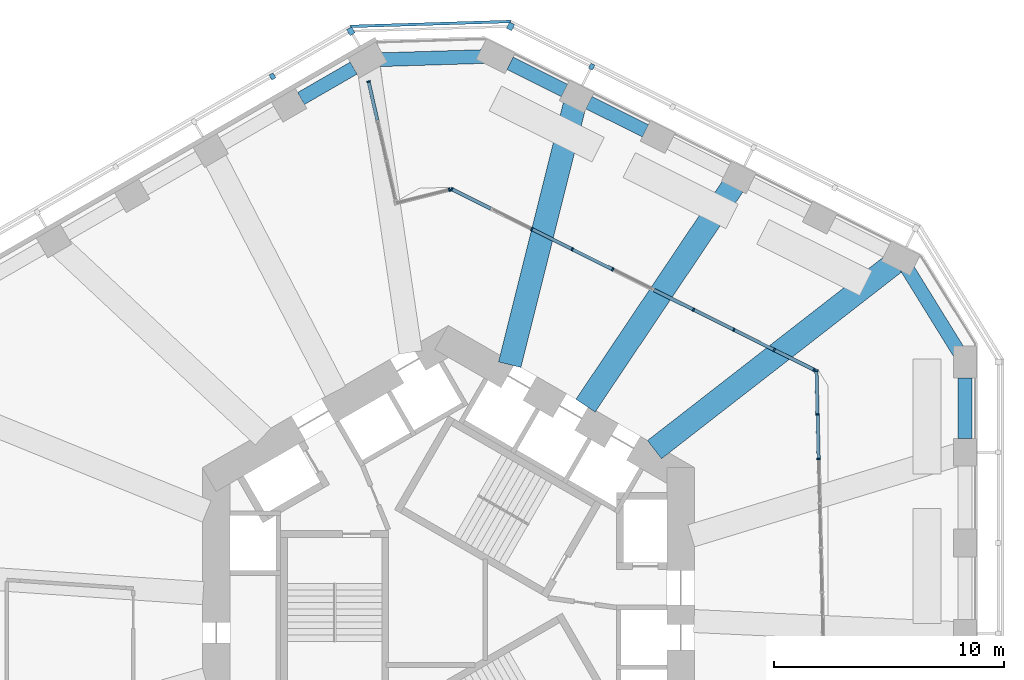
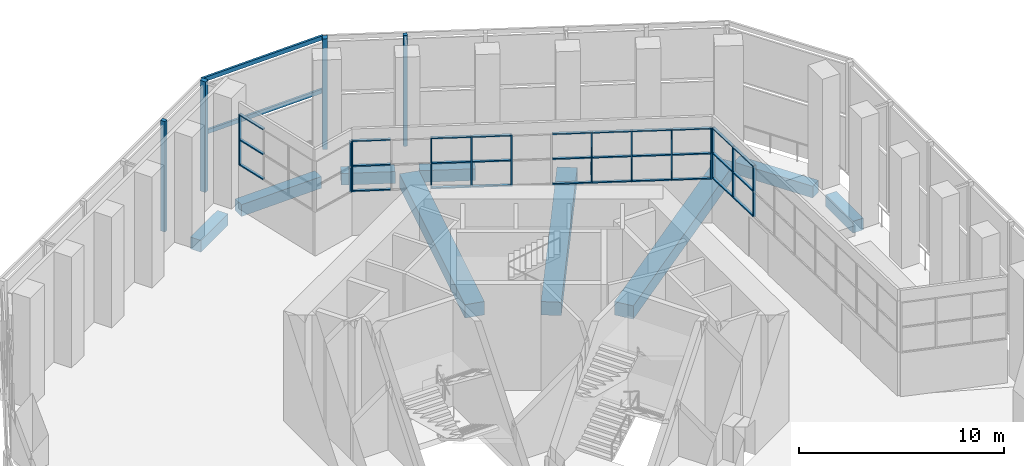
# One storey, part 4 of 17: 49 members, 9 beams, 7 elements without a shape of their own.
"""IFC4 building model written with IfcOpenShell, lengths in metres."""

import ifcopenshell
import ifcopenshell.guid

model = None  # the IFC model being written
_history = None  # IfcOwnerHistory: only IFC2X3 demands one
_inside = {}  # id of a spatial element -> (the spatial element, [elements in it])
_under = {}  # id of a project, library or spatial element -> (it, [spatial elements below it])
_declared = {}  # id of a project -> (the project, [libraries it declares])
_typed = {}  # id of a type object -> (the type object, [elements of that type])
_made_of = {}  # id of a material, layer set ... -> (it, [elements and type objects made of it])


def new_model(schema):
    """Start an empty IFC model of exactly this schema.

    Asked for "IFC4X3", IfcOpenShell would pick the latest addendum, in which some entities
    have other attributes; the version numbers below select the first issue.
    IFC2X3 requires an IfcOwnerHistory on every rooted entity: one is made here for all.
    """
    global model, _history
    if schema == "IFC4X3":
        model = ifcopenshell.file(schema_version=(4, 3, 0, 0))
    else:
        model = ifcopenshell.file(schema=schema)
    _inside.clear()
    _under.clear()
    _declared.clear()
    _typed.clear()
    _made_of.clear()
    _history = None
    if model.schema == "IFC2X3":
        org = make("IfcOrganization", Name="unknown")
        user = make(
            "IfcPersonAndOrganization",
            ThePerson=make("IfcPerson", FamilyName="unknown"),
            TheOrganization=org,
        )
        app = make(
            "IfcApplication",
            ApplicationDeveloper=org,
            Version="unknown",
            ApplicationFullName="unknown",
            ApplicationIdentifier="unknown",
        )
        _history = make(
            "IfcOwnerHistory",
            OwningUser=user,
            OwningApplication=app,
            ChangeAction="ADDED",
            CreationDate=0,
        )
    return model


def make(cls, **values):
    """One entity of the class cls with the attributes given. An attribute that is None is left unset."""
    return model.create_entity(
        cls, **{name: value for name, value in values.items() if value is not None}
    )


def rooted(cls, **values):
    """An entity with a GlobalId (a new one), such as an element, a storey or a relation."""
    return make(cls, GlobalId=ifcopenshell.guid.new(), OwnerHistory=_history, **values)


def si_unit(unit_type, name, prefix=None):
    """IfcSIUnit, for example si_unit("LENGTHUNIT", "METRE", prefix="MILLI")."""
    return make("IfcSIUnit", UnitType=unit_type, Prefix=prefix, Name=name)


def assignment(units):
    """IfcUnitAssignment: the units of a project."""
    return None if units is None else make("IfcUnitAssignment", Units=units)


def point(xyz):
    """IfcCartesianPoint."""
    return None if xyz is None else make("IfcCartesianPoint", Coordinates=xyz)


def direction(xyz):
    """IfcDirection."""
    return None if xyz is None else make("IfcDirection", DirectionRatios=xyz)


def frame(location, z_axis=None, x_axis=None):
    """IfcAxis2Placement3D, a coordinate frame: its origin and axes. An axis left out is left unset."""
    return make(
        "IfcAxis2Placement3D",
        Location=point(location),
        Axis=direction(z_axis),
        RefDirection=direction(x_axis),
    )


def frame_2d(location, x_axis=None):
    """IfcAxis2Placement2D, a coordinate frame in the plane: its origin and x axis."""
    return make(
        "IfcAxis2Placement2D", Location=point(location), RefDirection=direction(x_axis)
    )


def origin():
    """The frame at (0, 0, 0) with its axes left unset."""
    return frame((0.0, 0.0, 0.0))


def origin_2d():
    """The frame at (0, 0) in the plane with its x axis left unset."""
    return frame_2d((0.0, 0.0))


def place(relative_to, where):
    """IfcLocalPlacement: puts the frame where relative to a parent placement (None: the world)."""
    return make(
        "IfcLocalPlacement", PlacementRelTo=relative_to, RelativePlacement=where
    )


def context(
    kind, dimensions, precision=None, world=None, true_north=None, identifier=None
):
    """IfcGeometricRepresentationContext, for example the 3D "Model" context."""
    return make(
        "IfcGeometricRepresentationContext",
        ContextIdentifier=identifier,
        ContextType=kind,
        CoordinateSpaceDimension=dimensions,
        Precision=precision,
        WorldCoordinateSystem=world,
        TrueNorth=true_north,
    )


def subcontext(parent, identifier, kind, view, scale=None):
    """IfcGeometricRepresentationSubContext, for example "Body" below "Model"."""
    return make(
        "IfcGeometricRepresentationSubContext",
        ContextIdentifier=identifier,
        ContextType=kind,
        ParentContext=parent,
        TargetScale=scale,
        TargetView=view,
    )


def project(units=None, contexts=None):
    """IfcProject with its units and contexts."""
    return rooted(
        "IfcProject",
        Name="project",
        RepresentationContexts=contexts,
        UnitsInContext=assignment(units),
    )


def spatial(cls, under=None, at=None, **own):
    """A site, building, storey or space (cls), placed at a placement, below another one or the project."""
    s = rooted(cls, ObjectPlacement=at, **own)
    if under is not None:
        _under.setdefault(under.id(), (under, []))[1].append(s)
    return s


def profile(cls, at=None, kind="AREA", **sizes):
    """A parametric profile (cls). Its sizes go by their IFC names, for example OverallWidth=200.0."""
    return make(cls, ProfileType=kind, Position=at, **sizes)


def rectangle(**sizes):
    """IfcRectangleProfileDef."""
    return profile("IfcRectangleProfileDef", **sizes)


def extrude(swept, where, along, depth):
    """IfcExtrudedAreaSolid: the profile swept, set in the frame where, extruded along a direction by depth."""
    return make(
        "IfcExtrudedAreaSolid",
        SweptArea=swept,
        Position=where,
        ExtrudedDirection=direction(along),
        Depth=depth,
    )


def shape(context_of_items, identifier, shape_type, items):
    """IfcShapeRepresentation: the items that make up one representation, for example the "Body"."""
    return make(
        "IfcShapeRepresentation",
        ContextOfItems=context_of_items,
        RepresentationIdentifier=identifier,
        RepresentationType=shape_type,
        Items=items,
    )


def material(Name=None, Category=None):
    """IfcMaterial."""
    return make("IfcMaterial", Name=Name, Category=Category)


def material_profile(
    of_material, cross_section, Name=None, Category=None, Priority=None
):
    """IfcMaterialProfile: a cross section and its material."""
    return make(
        "IfcMaterialProfile",
        Name=Name,
        Material=of_material,
        Profile=cross_section,
        Priority=Priority,
        Category=Category,
    )


def profile_set(profiles, Name=None, composite=None):
    """IfcMaterialProfileSet."""
    return make(
        "IfcMaterialProfileSet",
        Name=Name,
        MaterialProfiles=profiles,
        CompositeProfile=composite,
    )


def made_of(thing, what):
    """Note that an element or type object is made of a material, layer set ...; save() writes the relation."""
    if what is not None:
        _made_of.setdefault(what.id(), (what, []))[1].append(thing)
    return thing


def type_object(cls, material=None, **own):
    """A type object (cls), such as IfcWallType, which elements share."""
    return made_of(rooted(cls, **own), material)


def element(
    cls,
    number,
    at=None,
    inside=None,
    cuts=None,
    type_object=None,
    material=None,
    context=None,
    identifier="Body",
    shape_type=None,
    held_by="IfcProductDefinitionShape",
    body=None,
    shapes=None,
    **own,
):
    """One element of the class cls, such as IfcWall. Its Tag is "e" and its number.

    at: its placement. inside: the storey or other place that contains it. cuts: it is an
    opening in that element (IfcRelVoidsElement). A single representation is given by context,
    identifier, shape_type and body (its items); several are given by shapes. held_by: the class
    of the entity that holds the representations. save() writes the other relations.
    """
    e = rooted(cls, Tag="e%d" % number, ObjectPlacement=at, **own)
    if body is not None:
        shapes = [shape(context, identifier, shape_type, body)]
    if shapes is not None:
        e.Representation = make(held_by, Representations=shapes)
    if inside is not None:
        _inside.setdefault(inside.id(), (inside, []))[1].append(e)
    if cuts is not None:
        rooted(
            "IfcRelVoidsElement", RelatingBuildingElement=cuts, RelatedOpeningElement=e
        )
    if type_object is not None:
        _typed.setdefault(type_object.id(), (type_object, []))[1].append(e)
    return made_of(e, material)


def aggregate(whole, parts):
    """IfcRelAggregates: a whole, such as a stair, and the parts it consists of."""
    return rooted("IfcRelAggregates", RelatingObject=whole, RelatedObjects=parts)


def save(model, path):
    """Write the relations noted so far, then the file.

    IfcRelAggregates (storeys below a building ...), IfcRelContainedInSpatialStructure (elements
    in a storey), IfcRelDefinesByType, IfcRelAssociatesMaterial and IfcRelDeclares: one each for
    every whole, place, type object, material and project.
    """
    for whole, parts in _under.values():
        aggregate(whole, parts)
    for where, things in _inside.values():
        rooted(
            "IfcRelContainedInSpatialStructure",
            RelatedElements=things,
            RelatingStructure=where,
        )
    for kind, things in _typed.values():
        rooted("IfcRelDefinesByType", RelatedObjects=things, RelatingType=kind)
    for what, things in _made_of.values():
        rooted("IfcRelAssociatesMaterial", RelatedObjects=things, RelatingMaterial=what)
    for by, libraries in _declared.values():
        rooted("IfcRelDeclares", RelatingContext=by, RelatedDefinitions=libraries)
    model.write(path)


model = new_model("IFC4")

# Units and contexts
model_context = context("Model", 3, precision=1e-05, world=origin(), true_north=direction((0.0, 1.0)))
body_context = subcontext(model_context, "Body", "Model", "MODEL_VIEW")
ifc_project = project(units=[si_unit("LENGTHUNIT", "METRE"), si_unit("AREAUNIT", "SQUARE_METRE"), si_unit("VOLUMEUNIT", "CUBIC_METRE"), si_unit("PLANEANGLEUNIT", "RADIAN"), si_unit("MASSUNIT", "GRAM", prefix="KILO")], contexts=[model_context])

# Site, building, storey
site_placement = place(None, origin())
site = spatial("IfcSite", under=ifc_project, at=site_placement, CompositionType="ELEMENT")
building_placement = place(site_placement, origin())
building = spatial("IfcBuilding", under=site, at=building_placement, Name="Vanh Sen Convention Tower", CompositionType="ELEMENT")
storey_placement = place(building_placement, frame((0.0, 0.0, 77.0)))
storey = spatial("IfcBuildingStorey", under=building, at=storey_placement, Name="L17", CompositionType="ELEMENT", Elevation=77.0)

# Curtain wall, member
ifc_material_1 = material(Name="Aluminium structural glazing system", Category="aluminium")
curtain_wall_type_1 = type_object("IfcCurtainWallType", Name="Sky garden structural glazing", PredefinedType="NOTDEFINED", material=ifc_material_1)
curtain_wall_1_placement = place(storey_placement, origin())
curtain_wall_1 = element("IfcCurtainWall", 1, at=curtain_wall_1_placement, inside=storey, type_object=curtain_wall_type_1, Name="Winter garden glazing 1 L17", PredefinedType="NOTDEFINED")
ifc_material_2 = material(Name="Aluminium mullion", Category="aluminium")
ifc_material_profile_1 = material_profile(ifc_material_2, rectangle(XDim=0.14990234375, YDim=0.070068359375, at=origin_2d()), Name="Garden glazing mullion 70 x 150")
ifc_profile_set_1 = profile_set([ifc_material_profile_1], Name="Aluminium mullion")
member_type_1 = type_object("IfcMemberType", Name="Garden glazing mullion 70 x 150", PredefinedType="MULLION", material=ifc_profile_set_1)
member_1_placement = place(storey_placement, frame((-3.472900390625, 22.95556640625, 2.60009765625), z_axis=(0.0, 0.0, 1.0), x_axis=(0.975399237411, 0.220445747654, 0.0)))
member_1 = element("IfcMember", 2, at=member_1_placement, type_object=member_type_1, Name="CW5 mullion 1", PredefinedType="MULLION", context=body_context, shape_type="SweptSolid", body=[
    extrude(rectangle(XDim=0.14990234375, YDim=0.070068359375, at=origin_2d()), origin(), (0.0, 0.0, 1.0), 3.0498046875),
])

curtain_wall_2_placement = place(storey_placement, origin())
curtain_wall_2 = element("IfcCurtainWall", 3, at=curtain_wall_2_placement, inside=storey, type_object=curtain_wall_type_1, Name="Winter garden glazing 2 L17", PredefinedType="NOTDEFINED")
member_2_placement = place(storey_placement, frame((0.038330078125, 18.260009765625, 2.60009765625), z_axis=(0.0, 0.0, 1.0), x_axis=(-0.243834843024, 0.969816771007, 0.0)))
member_2 = element("IfcMember", 4, at=member_2_placement, type_object=member_type_1, Name="CW5 mullion 2", PredefinedType="MULLION", context=body_context, shape_type="SweptSolid", body=[
    extrude(rectangle(XDim=0.14990234375, YDim=0.070068359375, at=origin_2d()), origin(), (0.0, 0.0, 1.0), 3.0498046875),
])
aggregate(curtain_wall_2, [member_2])

# Curtain wall, members
curtain_wall_3_placement = place(storey_placement, origin())
curtain_wall_3 = element("IfcCurtainWall", 5, at=curtain_wall_3_placement, inside=storey, type_object=curtain_wall_type_1, Name="Winter garden glazing 3 L17", PredefinedType="NOTDEFINED")
member_3_placement = place(storey_placement, frame((0.143798828125, 18.28173828125, 2.60009765625), z_axis=(0.0, 0.0, 1.0), x_axis=(0.446203047714, 0.894931751706, 0.0)))
member_3 = element("IfcMember", 6, at=member_3_placement, type_object=member_type_1, Name="CW5 mullion 1", PredefinedType="MULLION", context=body_context, shape_type="SweptSolid", body=[
    extrude(rectangle(XDim=0.14990234375, YDim=0.070068359375, at=origin_2d()), origin(), (0.0, 0.0, 1.0), 3.0498046875),
])
member_4_placement = place(storey_placement, frame((3.624267578125, 16.54638671875, 2.60009765625), z_axis=(0.0, 0.0, 1.0), x_axis=(0.446203047714, 0.894931751706, 0.0)))
member_4 = element("IfcMember", 7, at=member_4_placement, type_object=member_type_1, Name="CW5 mullion 3", PredefinedType="MULLION", context=body_context, shape_type="SweptSolid", body=[
    extrude(rectangle(XDim=0.14990234375, YDim=0.070068359375, at=origin_2d()), origin(), (0.0, 0.0, 1.0), 3.0498046875),
])
member_5_placement = place(storey_placement, frame((5.38037109375, 15.6708984375, 2.60009765625), z_axis=(0.0, 0.0, 1.0), x_axis=(0.446203047714, 0.894931751706, 0.0)))
member_5 = element("IfcMember", 8, at=member_5_placement, type_object=member_type_1, Name="CW5 mullion 4", PredefinedType="MULLION", context=body_context, shape_type="SweptSolid", body=[
    extrude(rectangle(XDim=0.14990234375, YDim=0.070068359375, at=origin_2d()), origin(), (0.0, 0.0, 1.0), 3.0498046875),
])
member_6_placement = place(storey_placement, frame((7.13623046875, 14.79541015625, 2.60009765625), z_axis=(0.0, 0.0, 1.0), x_axis=(0.446203047714, 0.894931751706, 0.0)))
member_6 = element("IfcMember", 9, at=member_6_placement, type_object=member_type_1, Name="CW5 mullion 5", PredefinedType="MULLION", context=body_context, shape_type="SweptSolid", body=[
    extrude(rectangle(XDim=0.14990234375, YDim=0.070068359375, at=origin_2d()), origin(), (0.0, 0.0, 1.0), 3.0498046875),
])
member_7_placement = place(storey_placement, frame((10.648193359375, 13.04443359375, 2.60009765625), z_axis=(0.0, 0.0, 1.0), x_axis=(0.446203047714, 0.894931751706, 0.0)))
member_7 = element("IfcMember", 10, at=member_7_placement, type_object=member_type_1, Name="CW5 mullion 7", PredefinedType="MULLION", context=body_context, shape_type="SweptSolid", body=[
    extrude(rectangle(XDim=0.14990234375, YDim=0.070068359375, at=origin_2d()), origin(), (0.0, 0.0, 1.0), 3.0498046875),
])
member_8_placement = place(storey_placement, frame((12.404052734375, 12.1689453125, 2.60009765625), z_axis=(0.0, 0.0, 1.0), x_axis=(0.446203047714, 0.894931751706, 0.0)))
member_8 = element("IfcMember", 11, at=member_8_placement, type_object=member_type_1, Name="CW5 mullion 8", PredefinedType="MULLION", context=body_context, shape_type="SweptSolid", body=[
    extrude(rectangle(XDim=0.14990234375, YDim=0.070068359375, at=origin_2d()), origin(), (0.0, 0.0, 1.0), 3.0498046875),
])
member_9_placement = place(storey_placement, frame((14.159912109375, 11.29345703125, 2.60009765625), z_axis=(0.0, 0.0, 1.0), x_axis=(0.446203047714, 0.894931751706, 0.0)))
member_9 = element("IfcMember", 12, at=member_9_placement, type_object=member_type_1, Name="CW5 mullion 9", PredefinedType="MULLION", context=body_context, shape_type="SweptSolid", body=[
    extrude(rectangle(XDim=0.14990234375, YDim=0.070068359375, at=origin_2d()), origin(), (0.0, 0.0, 1.0), 3.0498046875),
])
member_10_placement = place(storey_placement, frame((15.884521484375, 10.43359375, 2.60009765625), z_axis=(0.0, 0.0, 1.0), x_axis=(0.446203047714, 0.894931751706, 0.0)))
member_10 = element("IfcMember", 13, at=member_10_placement, type_object=member_type_1, Name="CW5 mullion 10", PredefinedType="MULLION", context=body_context, shape_type="SweptSolid", body=[
    extrude(rectangle(XDim=0.14990234375, YDim=0.070068359375, at=origin_2d()), origin(), (0.0, 0.0, 1.0), 3.0498046875),
])

curtain_wall_4_placement = place(storey_placement, origin())
curtain_wall_4 = element("IfcCurtainWall", 14, at=curtain_wall_4_placement, inside=storey, type_object=curtain_wall_type_1, Name="Winter garden glazing 4 L17", PredefinedType="NOTDEFINED")
member_11_placement = place(storey_placement, frame((15.991455078125, 10.39013671875, 2.60009765625), z_axis=(0.0, 0.0, 1.0), x_axis=(0.999688152482, 0.024971939984, 0.0)))
member_11 = element("IfcMember", 15, at=member_11_placement, type_object=member_type_1, Name="CW5 mullion 1", PredefinedType="MULLION", context=body_context, shape_type="SweptSolid", body=[
    extrude(rectangle(XDim=0.14990234375, YDim=0.070068359375, at=origin_2d()), origin(), (0.0, 0.0, 1.0), 3.0498046875),
])
member_12_placement = place(storey_placement, frame((16.0390625, 8.492919921875, 2.60009765625), z_axis=(0.0, 0.0, 1.0), x_axis=(0.999688152482, 0.024971939984, 0.0)))
member_12 = element("IfcMember", 16, at=member_12_placement, type_object=member_type_1, Name="CW5 mullion 2", PredefinedType="MULLION", context=body_context, shape_type="SweptSolid", body=[
    extrude(rectangle(XDim=0.14990234375, YDim=0.070068359375, at=origin_2d()), origin(), (0.0, 0.0, 1.0), 3.0498046875),
])
member_13_placement = place(storey_placement, frame((16.087158203125, 6.560546875, 2.60009765625), z_axis=(0.0, 0.0, 1.0), x_axis=(0.999688152482, 0.024971939984, 0.0)))
member_13 = element("IfcMember", 17, at=member_13_placement, type_object=member_type_1, Name="CW5 mullion 3", PredefinedType="MULLION", context=body_context, shape_type="SweptSolid", body=[
    extrude(rectangle(XDim=0.14990234375, YDim=0.070068359375, at=origin_2d()), origin(), (0.0, 0.0, 1.0), 3.0498046875),
])

# Member
ifc_material_3 = material(Name="Aluminium transom", Category="aluminium")
ifc_material_profile_2 = material_profile(ifc_material_3, rectangle(XDim=0.14990234375, YDim=0.070068359375, at=origin_2d()), Name="Garden glazing transom 150 x 70")
ifc_profile_set_2 = profile_set([ifc_material_profile_2], Name="Aluminium transom")
member_type_2 = type_object("IfcMemberType", Name="Garden glazing transom 150 x 70", PredefinedType="USERDEFINED", material=ifc_profile_set_2)
member_14_placement = place(storey_placement, frame((-3.465087890625, 22.92138671875, 2.635009765625), z_axis=(0.220416750341, -0.975405790514, 0.0), x_axis=(0.975405790514, 0.220416750341, 0.0)))
member_14 = element("IfcMember", 18, at=member_14_placement, type_object=member_type_2, Name="CW5 transom 1.1", ObjectType="TRANSOM", PredefinedType="USERDEFINED", context=body_context, shape_type="SweptSolid", body=[
    extrude(rectangle(XDim=0.14990234375, YDim=0.070068359375, at=origin_2d()), origin(), (0.0, 0.0, 1.0), 1.682373046875),
])

member_15_placement = place(storey_placement, frame((-3.465087890625, 22.92138671875, 4.125), z_axis=(0.220416750341, -0.975405790514, 0.0), x_axis=(0.975405790514, 0.220416750341, 0.0)))
member_15 = element("IfcMember", 19, at=member_15_placement, type_object=member_type_2, Name="CW5 transom 1.2", ObjectType="TRANSOM", PredefinedType="USERDEFINED", context=body_context, shape_type="SweptSolid", body=[
    extrude(rectangle(XDim=0.14990234375, YDim=0.070068359375, at=origin_2d()), origin(), (0.0, 0.0, 1.0), 1.682373046875),
])

member_16_placement = place(storey_placement, frame((-3.465087890625, 22.92138671875, 5.614990234375), z_axis=(0.220416750341, -0.975405790514, 0.0), x_axis=(0.975405790514, 0.220416750341, 0.0)))
member_16 = element("IfcMember", 20, at=member_16_placement, type_object=member_type_2, Name="CW5 transom 1.3", ObjectType="TRANSOM", PredefinedType="USERDEFINED", context=body_context, shape_type="SweptSolid", body=[
    extrude(rectangle(XDim=0.14990234375, YDim=0.070068359375, at=origin_2d()), origin(), (0.0, 0.0, 1.0), 1.682373046875),
])

aggregate(curtain_wall_1, [member_1, member_14, member_15, member_16])

member_17_placement = place(storey_placement, frame((0.175048828125, 18.26611328125, 2.635009765625), z_axis=(0.894952396717, -0.446161638434, 0.0), x_axis=(0.446161638434, 0.894952396717, 0.0)))
member_17 = element("IfcMember", 21, at=member_17_placement, type_object=member_type_2, Name="CW5 transom 1.1", ObjectType="TRANSOM", PredefinedType="USERDEFINED", context=body_context, shape_type="SweptSolid", body=[
    extrude(rectangle(XDim=0.14990234375, YDim=0.070068359375, at=origin_2d()), origin(), (0.0, 0.0, 1.0), 1.857177734375),
])

member_18_placement = place(storey_placement, frame((0.175048828125, 18.26611328125, 4.125), z_axis=(0.894952396717, -0.446161638434, 0.0), x_axis=(0.446161638434, 0.894952396717, 0.0)))
member_18 = element("IfcMember", 22, at=member_18_placement, type_object=member_type_2, Name="CW5 transom 1.2", ObjectType="TRANSOM", PredefinedType="USERDEFINED", context=body_context, shape_type="SweptSolid", body=[
    extrude(rectangle(XDim=0.14990234375, YDim=0.070068359375, at=origin_2d()), origin(), (0.0, 0.0, 1.0), 1.857177734375),
])

member_19_placement = place(storey_placement, frame((0.175048828125, 18.26611328125, 5.614990234375), z_axis=(0.894952396717, -0.446161638434, 0.0), x_axis=(0.446161638434, 0.894952396717, 0.0)))
member_19 = element("IfcMember", 23, at=member_19_placement, type_object=member_type_2, Name="CW5 transom 1.3", ObjectType="TRANSOM", PredefinedType="USERDEFINED", context=body_context, shape_type="SweptSolid", body=[
    extrude(rectangle(XDim=0.14990234375, YDim=0.070068359375, at=origin_2d()), origin(), (0.0, 0.0, 1.0), 1.857177734375),
])

member_20_placement = place(storey_placement, frame((3.65576171875, 16.53076171875, 2.635009765625), z_axis=(0.894917018808, -0.44623259568, 0.0), x_axis=(0.44623259568, 0.894917018808, 0.0)))
member_20 = element("IfcMember", 24, at=member_20_placement, type_object=member_type_2, Name="CW5 transom 3.1", ObjectType="TRANSOM", PredefinedType="USERDEFINED", context=body_context, shape_type="SweptSolid", body=[
    extrude(rectangle(XDim=0.14990234375, YDim=0.070068359375, at=origin_2d()), origin(), (0.0, 0.0, 1.0), 1.891845703125),
])

member_21_placement = place(storey_placement, frame((3.65576171875, 16.53076171875, 4.125), z_axis=(0.894917018808, -0.44623259568, 0.0), x_axis=(0.44623259568, 0.894917018808, 0.0)))
member_21 = element("IfcMember", 25, at=member_21_placement, type_object=member_type_2, Name="CW5 transom 3.2", ObjectType="TRANSOM", PredefinedType="USERDEFINED", context=body_context, shape_type="SweptSolid", body=[
    extrude(rectangle(XDim=0.14990234375, YDim=0.070068359375, at=origin_2d()), origin(), (0.0, 0.0, 1.0), 1.891845703125),
])

member_22_placement = place(storey_placement, frame((3.65576171875, 16.53076171875, 5.614990234375), z_axis=(0.894917018808, -0.44623259568, 0.0), x_axis=(0.44623259568, 0.894917018808, 0.0)))
member_22 = element("IfcMember", 26, at=member_22_placement, type_object=member_type_2, Name="CW5 transom 3.3", ObjectType="TRANSOM", PredefinedType="USERDEFINED", context=body_context, shape_type="SweptSolid", body=[
    extrude(rectangle(XDim=0.14990234375, YDim=0.070068359375, at=origin_2d()), origin(), (0.0, 0.0, 1.0), 1.891845703125),
])

member_23_placement = place(storey_placement, frame((5.41162109375, 15.6552734375, 2.635009765625), z_axis=(0.894942709965, -0.446181068492, 0.0), x_axis=(0.446181068492, 0.894942709965, 0.0)))
member_23 = element("IfcMember", 27, at=member_23_placement, type_object=member_type_2, Name="CW5 transom 4.1", ObjectType="TRANSOM", PredefinedType="USERDEFINED", context=body_context, shape_type="SweptSolid", body=[
    extrude(rectangle(XDim=0.14990234375, YDim=0.070068359375, at=origin_2d()), origin(), (0.0, 0.0, 1.0), 1.89208984375),
])

member_24_placement = place(storey_placement, frame((5.41162109375, 15.6552734375, 4.125), z_axis=(0.894942709965, -0.446181068492, 0.0), x_axis=(0.446181068492, 0.894942709965, 0.0)))
member_24 = element("IfcMember", 28, at=member_24_placement, type_object=member_type_2, Name="CW5 transom 4.2", ObjectType="TRANSOM", PredefinedType="USERDEFINED", context=body_context, shape_type="SweptSolid", body=[
    extrude(rectangle(XDim=0.14990234375, YDim=0.070068359375, at=origin_2d()), origin(), (0.0, 0.0, 1.0), 1.89208984375),
])

member_25_placement = place(storey_placement, frame((5.41162109375, 15.6552734375, 5.614990234375), z_axis=(0.894942709965, -0.446181068492, 0.0), x_axis=(0.446181068492, 0.894942709965, 0.0)))
member_25 = element("IfcMember", 29, at=member_25_placement, type_object=member_type_2, Name="CW5 transom 4.3", ObjectType="TRANSOM", PredefinedType="USERDEFINED", context=body_context, shape_type="SweptSolid", body=[
    extrude(rectangle(XDim=0.14990234375, YDim=0.070068359375, at=origin_2d()), origin(), (0.0, 0.0, 1.0), 1.89208984375),
])

member_26_placement = place(storey_placement, frame((8.923583984375, 13.904296875, 2.635009765625), z_axis=(0.894917018808, -0.44623259568, 0.0), x_axis=(0.44623259568, 0.894917018808, 0.0)))
member_26 = element("IfcMember", 30, at=member_26_placement, type_object=member_type_2, Name="CW5 transom 6.1", ObjectType="TRANSOM", PredefinedType="USERDEFINED", context=body_context, shape_type="SweptSolid", body=[
    extrude(rectangle(XDim=0.14990234375, YDim=0.070068359375, at=origin_2d()), origin(), (0.0, 0.0, 1.0), 1.891845703125),
])

member_27_placement = place(storey_placement, frame((8.923583984375, 13.904296875, 4.125), z_axis=(0.894917018808, -0.44623259568, 0.0), x_axis=(0.44623259568, 0.894917018808, 0.0)))
member_27 = element("IfcMember", 31, at=member_27_placement, type_object=member_type_2, Name="CW5 transom 6.2", ObjectType="TRANSOM", PredefinedType="USERDEFINED", context=body_context, shape_type="SweptSolid", body=[
    extrude(rectangle(XDim=0.14990234375, YDim=0.070068359375, at=origin_2d()), origin(), (0.0, 0.0, 1.0), 1.891845703125),
])

member_28_placement = place(storey_placement, frame((8.923583984375, 13.904296875, 5.614990234375), z_axis=(0.894917018808, -0.44623259568, 0.0), x_axis=(0.44623259568, 0.894917018808, 0.0)))
member_28 = element("IfcMember", 32, at=member_28_placement, type_object=member_type_2, Name="CW5 transom 6.3", ObjectType="TRANSOM", PredefinedType="USERDEFINED", context=body_context, shape_type="SweptSolid", body=[
    extrude(rectangle(XDim=0.14990234375, YDim=0.070068359375, at=origin_2d()), origin(), (0.0, 0.0, 1.0), 1.891845703125),
])

member_29_placement = place(storey_placement, frame((10.679443359375, 13.02880859375, 2.635009765625), z_axis=(0.894942709965, -0.446181068492, 0.0), x_axis=(0.446181068492, 0.894942709965, 0.0)))
member_29 = element("IfcMember", 33, at=member_29_placement, type_object=member_type_2, Name="CW5 transom 7.1", ObjectType="TRANSOM", PredefinedType="USERDEFINED", context=body_context, shape_type="SweptSolid", body=[
    extrude(rectangle(XDim=0.14990234375, YDim=0.070068359375, at=origin_2d()), origin(), (0.0, 0.0, 1.0), 1.89208984375),
])

member_30_placement = place(storey_placement, frame((10.679443359375, 13.02880859375, 4.125), z_axis=(0.894942709965, -0.446181068492, 0.0), x_axis=(0.446181068492, 0.894942709965, 0.0)))
member_30 = element("IfcMember", 34, at=member_30_placement, type_object=member_type_2, Name="CW5 transom 7.2", ObjectType="TRANSOM", PredefinedType="USERDEFINED", context=body_context, shape_type="SweptSolid", body=[
    extrude(rectangle(XDim=0.14990234375, YDim=0.070068359375, at=origin_2d()), origin(), (0.0, 0.0, 1.0), 1.89208984375),
])

member_31_placement = place(storey_placement, frame((10.679443359375, 13.02880859375, 5.614990234375), z_axis=(0.894942709965, -0.446181068492, 0.0), x_axis=(0.446181068492, 0.894942709965, 0.0)))
member_31 = element("IfcMember", 35, at=member_31_placement, type_object=member_type_2, Name="CW5 transom 7.3", ObjectType="TRANSOM", PredefinedType="USERDEFINED", context=body_context, shape_type="SweptSolid", body=[
    extrude(rectangle(XDim=0.14990234375, YDim=0.070068359375, at=origin_2d()), origin(), (0.0, 0.0, 1.0), 1.89208984375),
])

member_32_placement = place(storey_placement, frame((12.435302734375, 12.1533203125, 2.635009765625), z_axis=(0.894942709965, -0.446181068492, 0.0), x_axis=(0.446181068492, 0.894942709965, 0.0)))
member_32 = element("IfcMember", 36, at=member_32_placement, type_object=member_type_2, Name="CW5 transom 8.1", ObjectType="TRANSOM", PredefinedType="USERDEFINED", context=body_context, shape_type="SweptSolid", body=[
    extrude(rectangle(XDim=0.14990234375, YDim=0.070068359375, at=origin_2d()), origin(), (0.0, 0.0, 1.0), 1.89208984375),
])

member_33_placement = place(storey_placement, frame((12.435302734375, 12.1533203125, 4.125), z_axis=(0.894942709965, -0.446181068492, 0.0), x_axis=(0.446181068492, 0.894942709965, 0.0)))
member_33 = element("IfcMember", 37, at=member_33_placement, type_object=member_type_2, Name="CW5 transom 8.2", ObjectType="TRANSOM", PredefinedType="USERDEFINED", context=body_context, shape_type="SweptSolid", body=[
    extrude(rectangle(XDim=0.14990234375, YDim=0.070068359375, at=origin_2d()), origin(), (0.0, 0.0, 1.0), 1.89208984375),
])

member_34_placement = place(storey_placement, frame((12.435302734375, 12.1533203125, 5.614990234375), z_axis=(0.894942709965, -0.446181068492, 0.0), x_axis=(0.446181068492, 0.894942709965, 0.0)))
member_34 = element("IfcMember", 38, at=member_34_placement, type_object=member_type_2, Name="CW5 transom 8.3", ObjectType="TRANSOM", PredefinedType="USERDEFINED", context=body_context, shape_type="SweptSolid", body=[
    extrude(rectangle(XDim=0.14990234375, YDim=0.070068359375, at=origin_2d()), origin(), (0.0, 0.0, 1.0), 1.89208984375),
])

member_35_placement = place(storey_placement, frame((14.19140625, 11.27783203125, 2.635009765625), z_axis=(0.894926224442, -0.446214133356, 0.0), x_axis=(0.446214133356, 0.894926224442, 0.0)))
member_35 = element("IfcMember", 39, at=member_35_placement, type_object=member_type_2, Name="CW5 transom 9.1", ObjectType="TRANSOM", PredefinedType="USERDEFINED", context=body_context, shape_type="SweptSolid", body=[
    extrude(rectangle(XDim=0.14990234375, YDim=0.070068359375, at=origin_2d()), origin(), (0.0, 0.0, 1.0), 1.85693359375),
])

member_36_placement = place(storey_placement, frame((14.19140625, 11.27783203125, 4.125), z_axis=(0.894926224442, -0.446214133356, 0.0), x_axis=(0.446214133356, 0.894926224442, 0.0)))
member_36 = element("IfcMember", 40, at=member_36_placement, type_object=member_type_2, Name="CW5 transom 9.2", ObjectType="TRANSOM", PredefinedType="USERDEFINED", context=body_context, shape_type="SweptSolid", body=[
    extrude(rectangle(XDim=0.14990234375, YDim=0.070068359375, at=origin_2d()), origin(), (0.0, 0.0, 1.0), 1.85693359375),
])

member_37_placement = place(storey_placement, frame((14.19140625, 11.27783203125, 5.614990234375), z_axis=(0.894926224442, -0.446214133356, 0.0), x_axis=(0.446214133356, 0.894926224442, 0.0)))
member_37 = element("IfcMember", 41, at=member_37_placement, type_object=member_type_2, Name="CW5 transom 9.3", ObjectType="TRANSOM", PredefinedType="USERDEFINED", context=body_context, shape_type="SweptSolid", body=[
    extrude(rectangle(XDim=0.14990234375, YDim=0.070068359375, at=origin_2d()), origin(), (0.0, 0.0, 1.0), 1.85693359375),
])

aggregate(curtain_wall_3, [member_3, member_4, member_5, member_6, member_7, member_8, member_9, member_10, member_17, member_18, member_19, member_20, member_21, member_22, member_23, member_24, member_25, member_26, member_27, member_28, member_29, member_30, member_31, member_32, member_33, member_34, member_35, member_36, member_37])

member_38_placement = place(storey_placement, frame((15.992431640625, 10.355224609375, 2.635009765625), z_axis=(0.024975506727, -0.99968806338, 0.0), x_axis=(0.99968806338, 0.024975506727, 0.0)))
member_38 = element("IfcMember", 42, at=member_38_placement, type_object=member_type_2, Name="CW5 transom 1.1", ObjectType="TRANSOM", PredefinedType="USERDEFINED", context=body_context, shape_type="SweptSolid", body=[
    extrude(rectangle(XDim=0.14990234375, YDim=0.070068359375, at=origin_2d()), origin(), (0.0, 0.0, 1.0), 1.827880859375),
])

member_39_placement = place(storey_placement, frame((15.992431640625, 10.355224609375, 4.125), z_axis=(0.024975506727, -0.99968806338, 0.0), x_axis=(0.99968806338, 0.024975506727, 0.0)))
member_39 = element("IfcMember", 43, at=member_39_placement, type_object=member_type_2, Name="CW5 transom 1.2", ObjectType="TRANSOM", PredefinedType="USERDEFINED", context=body_context, shape_type="SweptSolid", body=[
    extrude(rectangle(XDim=0.14990234375, YDim=0.070068359375, at=origin_2d()), origin(), (0.0, 0.0, 1.0), 1.827880859375),
])

member_40_placement = place(storey_placement, frame((15.992431640625, 10.355224609375, 5.614990234375), z_axis=(0.024975506727, -0.99968806338, 0.0), x_axis=(0.99968806338, 0.024975506727, 0.0)))
member_40 = element("IfcMember", 44, at=member_40_placement, type_object=member_type_2, Name="CW5 transom 1.3", ObjectType="TRANSOM", PredefinedType="USERDEFINED", context=body_context, shape_type="SweptSolid", body=[
    extrude(rectangle(XDim=0.14990234375, YDim=0.070068359375, at=origin_2d()), origin(), (0.0, 0.0, 1.0), 1.827880859375),
])

member_41_placement = place(storey_placement, frame((16.039794921875, 8.457763671875, 2.635009765625), z_axis=(0.025034762949, -0.999686581206, 0.0), x_axis=(0.999686581206, 0.025034762949, 0.0)))
member_41 = element("IfcMember", 45, at=member_41_placement, type_object=member_type_2, Name="CW5 transom 2.1", ObjectType="TRANSOM", PredefinedType="USERDEFINED", context=body_context, shape_type="SweptSolid", body=[
    extrude(rectangle(XDim=0.14990234375, YDim=0.070068359375, at=origin_2d()), origin(), (0.0, 0.0, 1.0), 1.862548828125),
])

member_42_placement = place(storey_placement, frame((16.039794921875, 8.457763671875, 4.125), z_axis=(0.025034762949, -0.999686581206, 0.0), x_axis=(0.999686581206, 0.025034762949, 0.0)))
member_42 = element("IfcMember", 46, at=member_42_placement, type_object=member_type_2, Name="CW5 transom 2.2", ObjectType="TRANSOM", PredefinedType="USERDEFINED", context=body_context, shape_type="SweptSolid", body=[
    extrude(rectangle(XDim=0.14990234375, YDim=0.070068359375, at=origin_2d()), origin(), (0.0, 0.0, 1.0), 1.862548828125),
])

member_43_placement = place(storey_placement, frame((16.039794921875, 8.457763671875, 5.614990234375), z_axis=(0.025034762949, -0.999686581206, 0.0), x_axis=(0.999686581206, 0.025034762949, 0.0)))
member_43 = element("IfcMember", 47, at=member_43_placement, type_object=member_type_2, Name="CW5 transom 2.3", ObjectType="TRANSOM", PredefinedType="USERDEFINED", context=body_context, shape_type="SweptSolid", body=[
    extrude(rectangle(XDim=0.14990234375, YDim=0.070068359375, at=origin_2d()), origin(), (0.0, 0.0, 1.0), 1.862548828125),
])

aggregate(curtain_wall_4, [member_11, member_12, member_13, member_38, member_39, member_40, member_41, member_42, member_43])

# Curtain wall, member
ifc_material_4 = material(Name="Concrete C50/60", Category="concrete")
curtain_wall_type_2 = type_object("IfcCurtainWallType", Name="Outer skin hotel zone", PredefinedType="NOTDEFINED", material=ifc_material_4)
curtain_wall_5_placement = place(storey_placement, origin())
curtain_wall_5 = element("IfcCurtainWall", 48, at=curtain_wall_5_placement, inside=storey, type_object=curtain_wall_type_2, Name="OUTER SKIN NE L17", PredefinedType="NOTDEFINED")
ifc_material_profile_3 = material_profile(ifc_material_4, rectangle(XDim=0.25, YDim=0.300048828125, at=origin_2d()), Name="Outer skin precast corner fin 250 x 300")
ifc_profile_set_3 = profile_set([ifc_material_profile_3], Name="Concrete C50/60")
member_type_3 = type_object("IfcMemberType", Name="Outer skin precast corner fin 250 x 300", PredefinedType="MULLION", material=ifc_profile_set_3)
member_44_placement = place(storey_placement, frame((2.699951171875, 25.35986328125, 0.0), z_axis=(0.0, 0.0, 1.0), x_axis=(-0.894934361602, 0.44619781311, 0.0)))
member_44 = element("IfcMember", 49, at=member_44_placement, type_object=member_type_3, Name="OUTER SKIN CORNER FIN 6 NE L17", PredefinedType="MULLION", context=body_context, shape_type="SweptSolid", body=[
    extrude(rectangle(XDim=0.25, YDim=0.300048828125, at=origin_2d()), origin(), (0.0, 0.0, 1.0), 6.60009765625),
])

curtain_wall_6_placement = place(storey_placement, origin())
curtain_wall_6 = element("IfcCurtainWall", 50, at=curtain_wall_6_placement, inside=storey, type_object=curtain_wall_type_2, Name="OUTER SKIN NW L17", PredefinedType="NOTDEFINED")
member_45_placement = place(storey_placement, frame((-4.242919921875, 25.147705078125, 0.0), z_axis=(0.0, 0.0, 1.0), x_axis=(-0.866025403784, -0.5, 0.0)))
member_45 = element("IfcMember", 51, at=member_45_placement, type_object=member_type_3, Name="OUTER SKIN CORNER FIN 1 NW L17", PredefinedType="MULLION", context=body_context, shape_type="SweptSolid", body=[
    extrude(rectangle(XDim=0.25, YDim=0.300048828125, at=origin_2d()), origin(), (0.0, 0.0, 1.0), 6.60009765625),
])

# Member
ifc_material_profile_4 = material_profile(ifc_material_4, rectangle(XDim=0.199951171875, YDim=0.25, at=origin_2d()), Name="Outer skin precast fin 200 x 250")
ifc_profile_set_4 = profile_set([ifc_material_profile_4], Name="Concrete C50/60")
member_type_4 = type_object("IfcMemberType", Name="Outer skin precast fin 200 x 250", PredefinedType="MULLION", material=ifc_profile_set_4)
member_46_placement = place(storey_placement, frame((6.22119140625, 23.604248046875, 0.0), z_axis=(0.0, 0.0, 1.0), x_axis=(-0.894934361602, 0.44619781311, 0.0)))
member_46 = element("IfcMember", 52, at=member_46_placement, type_object=member_type_4, Name="OUTER SKIN fin 5 NE L17", PredefinedType="MULLION", context=body_context, shape_type="SweptSolid", body=[
    extrude(rectangle(XDim=0.199951171875, YDim=0.25, at=origin_2d()), origin(), (0.0, 0.0, 1.0), 6.60009765625),
])

aggregate(curtain_wall_5, [member_46, member_44])

member_47_placement = place(storey_placement, frame((-7.650390625, 23.180419921875, 0.0), z_axis=(0.0, 0.0, 1.0), x_axis=(-0.866025403784, -0.5, 0.0)))
member_47 = element("IfcMember", 53, at=member_47_placement, type_object=member_type_4, Name="OUTER SKIN fin 2 NW L17", PredefinedType="MULLION", context=body_context, shape_type="SweptSolid", body=[
    extrude(rectangle(XDim=0.199951171875, YDim=0.25, at=origin_2d()), origin(), (0.0, 0.0, 1.0), 6.60009765625),
])

aggregate(curtain_wall_6, [member_45, member_47])

# Curtain wall, members
curtain_wall_7_placement = place(storey_placement, origin())
curtain_wall_7 = element("IfcCurtainWall", 54, at=curtain_wall_7_placement, inside=storey, type_object=curtain_wall_type_2, Name="OUTER SKIN CH2 L17", PredefinedType="NOTDEFINED")
ifc_material_profile_5 = material_profile(ifc_material_4, rectangle(XDim=0.1201171875, YDim=0.25, at=origin_2d()), Name="Outer skin precast spandrel band 250 x 120")
ifc_profile_set_5 = profile_set([ifc_material_profile_5], Name="Concrete C50/60")
member_type_5 = type_object("IfcMemberType", Name="Outer skin precast spandrel band 250 x 120", PredefinedType="USERDEFINED", material=ifc_profile_set_5)
member_48_placement = place(storey_placement, frame((2.693603515625, 25.569580078125, 6.47509765625), z_axis=(-0.999533472857, -0.030542374483, 0.0), x_axis=(0.030542374483, -0.999533472857, 0.0)))
member_48 = element("IfcMember", 55, at=member_48_placement, type_object=member_type_5, Name="OUTER SKIN spandrel band CH2 L17", ObjectType="TRANSOM", PredefinedType="USERDEFINED", context=body_context, shape_type="SweptSolid", body=[
    extrude(rectangle(XDim=0.1201171875, YDim=0.25, at=origin_2d()), origin(), (0.0, 0.0, 1.0), 6.9462890625),
])
member_49_placement = place(storey_placement, frame((2.693603515625, 25.569580078125, 3.300048828125), z_axis=(-0.999533472857, -0.030542374483, 0.0), x_axis=(0.030542374483, -0.999533472857, 0.0)))
member_49 = element("IfcMember", 56, at=member_49_placement, type_object=member_type_5, Name="OUTER SKIN spandrel band CH2 L17 mid", ObjectType="TRANSOM", PredefinedType="USERDEFINED", context=body_context, shape_type="SweptSolid", body=[
    extrude(rectangle(XDim=0.1201171875, YDim=0.25, at=origin_2d()), origin(), (0.0, 0.0, 1.0), 6.9462890625),
])
aggregate(curtain_wall_7, [member_48, member_49])

# Beams
ifc_material_5 = material(Name="Concrete C50/60", Category="concrete")
ifc_material_profile_6 = material_profile(ifc_material_5, rectangle(XDim=1.0, YDim=0.800048828125, at=origin_2d()), Name="RC 1000X800")
ifc_profile_set_6 = profile_set([ifc_material_profile_6], Name="Concrete C50/60")
beam_type_1 = type_object("IfcBeamType", Name="Radial floor beam 1000 x 800", PredefinedType="BEAM", material=ifc_profile_set_6)
beam_1_placement = place(storey_placement, frame((19.41455078125, 15.093994140625, -0.75), z_axis=(-0.789473256885, -0.613784959627, 0.0), x_axis=(0.613784959627, -0.789473256885, 0.0)))
element("IfcBeam", 57, at=beam_1_placement, inside=storey, type_object=beam_type_1, Name="Radial beam 04 L17", PredefinedType="BEAM", context=body_context, shape_type="SweptSolid", body=[
    extrude(rectangle(XDim=1.0, YDim=0.800048828125, at=origin_2d()), origin(), (0.0, 0.0, 1.0), 13.248779296875),
])
beam_2_placement = place(storey_placement, frame((12.37451171875, 18.4345703125, -0.75), z_axis=(-0.557339003239, -0.830285032666, 0.0), x_axis=(0.830285032666, -0.557339003239, 0.0)))
element("IfcBeam", 58, at=beam_2_placement, inside=storey, type_object=beam_type_1, Name="Radial beam 05 L17", PredefinedType="BEAM", context=body_context, shape_type="SweptSolid", body=[
    extrude(rectangle(XDim=1.0, YDim=0.800048828125, at=origin_2d()), origin(), (0.0, 0.0, 1.0), 11.51708984375),
])
beam_3_placement = place(storey_placement, frame((5.47802734375, 21.921875, -0.75), z_axis=(-0.242426812684, -0.97016969675, 0.0), x_axis=(0.97016969675, -0.242426812684, 0.0)))
element("IfcBeam", 59, at=beam_3_placement, inside=storey, type_object=beam_type_1, Name="Radial beam 06 L17", PredefinedType="BEAM", context=body_context, shape_type="SweptSolid", body=[
    extrude(rectangle(XDim=1.0, YDim=0.800048828125, at=origin_2d()), origin(), (0.0, 0.0, 1.0), 11.614501953125),
])
ifc_material_profile_7 = material_profile(ifc_material_5, rectangle(XDim=0.60009765625, YDim=0.699951171875, at=origin_2d()), Name="RC 600X700")
ifc_profile_set_7 = profile_set([ifc_material_profile_7], Name="Concrete C50/60")
beam_type_2 = type_object("IfcBeamType", Name="Spandrel beam 600 x 700", PredefinedType="SPANDREL", material=ifc_profile_set_7)
beam_4_placement = place(storey_placement, frame((22.449951171875, 7.43408203125, -0.699951171875), z_axis=(0.0, 1.0, 0.0), x_axis=(-1.0, 0.0, 0.0)))
element("IfcBeam", 60, at=beam_4_placement, inside=storey, type_object=beam_type_2, Name="Spandrel beam 05 L17", PredefinedType="SPANDREL", context=body_context, shape_type="SweptSolid", body=[
    extrude(rectangle(XDim=0.60009765625, YDim=0.699951171875, at=origin_2d()), origin(), (0.0, 0.0, 1.0), 2.64453125),
])
beam_5_placement = place(storey_placement, frame((22.207763671875, 11.165283203125, -0.699951171875), z_axis=(-0.526233808765, 0.850339919392, 0.0), x_axis=(-0.850339919392, -0.526233808765, 0.0)))
element("IfcBeam", 61, at=beam_5_placement, inside=storey, type_object=beam_type_2, Name="Spandrel beam 06 L17", PredefinedType="SPANDREL", context=body_context, shape_type="SweptSolid", body=[
    extrude(rectangle(XDim=0.60009765625, YDim=0.699951171875, at=origin_2d()), origin(), (0.0, 0.0, 1.0), 4.38330078125),
])
beam_6_placement = place(storey_placement, frame((8.562744140625, 20.81640625, -0.699951171875), z_axis=(-0.894924804947, 0.44621698028, 0.0), x_axis=(-0.44621698028, -0.894924804947, 0.0)))
element("IfcBeam", 62, at=beam_6_placement, inside=storey, type_object=beam_type_2, Name="Spandrel beam 10 L17", PredefinedType="SPANDREL", context=body_context, shape_type="SweptSolid", body=[
    extrude(rectangle(XDim=0.60009765625, YDim=0.699951171875, at=origin_2d()), origin(), (0.0, 0.0, 1.0), 2.744384765625),
])
beam_7_placement = place(storey_placement, frame((5.04150390625, 22.572021484375, -0.699951171875), z_axis=(-0.894943581597, 0.446179320183, 0.0), x_axis=(-0.446179320183, -0.894943581597, 0.0)))
element("IfcBeam", 63, at=beam_7_placement, inside=storey, type_object=beam_type_2, Name="Spandrel beam 11 L17", PredefinedType="SPANDREL", context=body_context, shape_type="SweptSolid", body=[
    extrude(rectangle(XDim=0.60009765625, YDim=0.699951171875, at=origin_2d()), origin(), (0.0, 0.0, 1.0), 2.64453125),
])
beam_8_placement = place(storey_placement, frame((1.56005859375, 24.047119140625, -0.699951171875), z_axis=(-0.99953328448, -0.030548538698, 0.0), x_axis=(0.030548538698, -0.99953328448, 0.0)))
element("IfcBeam", 64, at=beam_8_placement, inside=storey, type_object=beam_type_2, Name="Spandrel beam 12 L17", PredefinedType="SPANDREL", context=body_context, shape_type="SweptSolid", body=[
    extrude(rectangle(XDim=0.60009765625, YDim=0.699951171875, at=origin_2d()), origin(), (0.0, 0.0, 1.0), 4.58740234375),
])
beam_9_placement = place(storey_placement, frame((-4.119873046875, 23.54443359375, -0.699951171875), z_axis=(-0.866030315638, -0.499991492324, 0.0), x_axis=(0.499991492324, -0.866030315638, 0.0)))
element("IfcBeam", 65, at=beam_9_placement, inside=storey, type_object=beam_type_2, Name="Spandrel beam 13 L17", PredefinedType="SPANDREL", context=body_context, shape_type="SweptSolid", body=[
    extrude(rectangle(XDim=0.60009765625, YDim=0.699951171875, at=origin_2d()), origin(), (0.0, 0.0, 1.0), 2.64453125),
])

save(model, "model.ifc")
